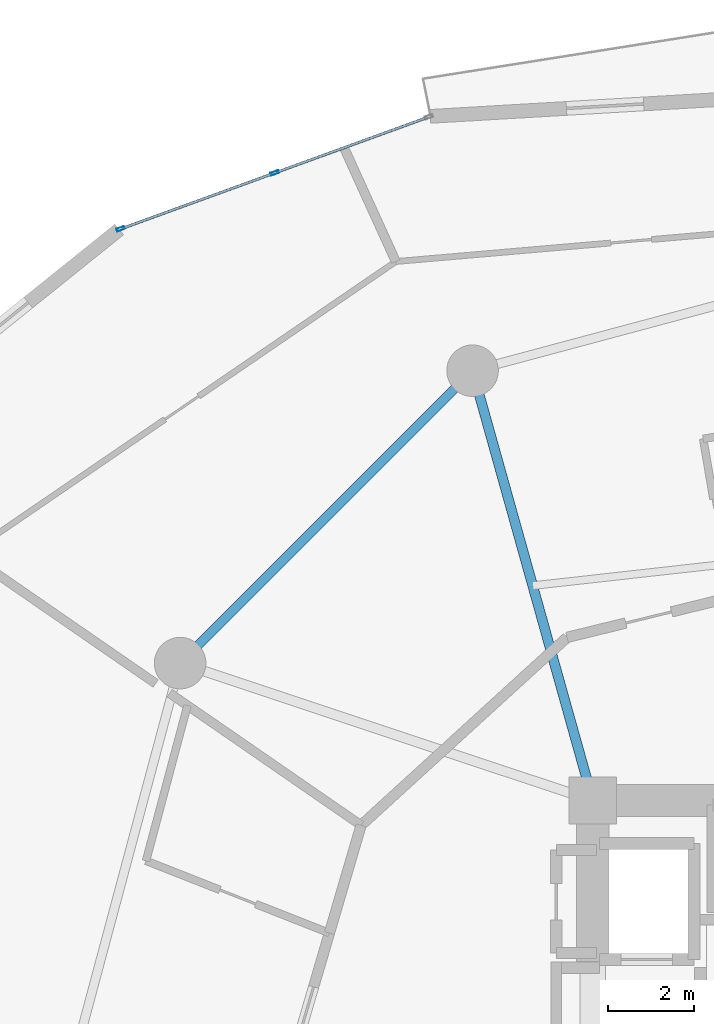
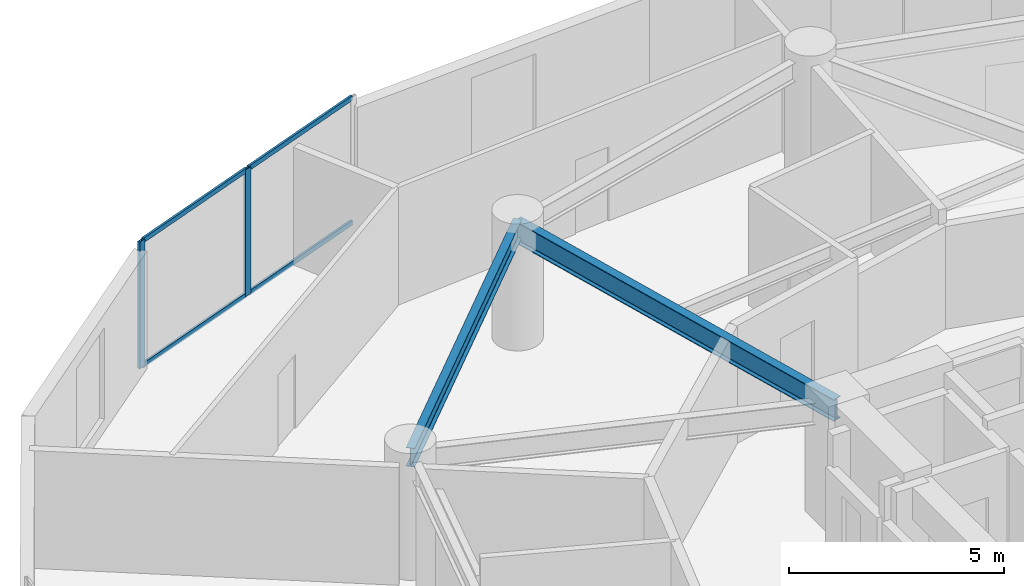
# One storey, part 15 of 26: 6 members, 2 beams, 1 element without a shape of its own.
"""IFC4 building model written with IfcOpenShell, lengths in metres."""

from ifc_helpers import new_model, si_unit, direction, frame, origin, origin_2d, place, context, subcontext, project, spatial, hollow_rectangle, i_section, extrude, source, transform, mapped, material, layer, layer_set, material_profile, profile_set, type_object, element, aggregate, save


model = new_model("IFC4")

# Units and contexts
model_context = context("Model", 3, precision=1e-05, world=origin(), true_north=direction((0.0, 1.0)))
body_context = subcontext(model_context, "Body", "Model", "MODEL_VIEW")
ifc_project = project(units=[si_unit("LENGTHUNIT", "METRE"), si_unit("AREAUNIT", "SQUARE_METRE"), si_unit("VOLUMEUNIT", "CUBIC_METRE"), si_unit("PLANEANGLEUNIT", "RADIAN"), si_unit("MASSUNIT", "GRAM", prefix="KILO")], contexts=[model_context])

# Site, building, storey
site_placement = place(None, origin())
site = spatial("IfcSite", under=ifc_project, at=site_placement, CompositionType="ELEMENT")
building_placement = place(site_placement, origin())
building = spatial("IfcBuilding", under=site, at=building_placement, Name="Solvirekh Grand Hotel", CompositionType="ELEMENT")
storey_placement = place(building_placement, frame((0.0, 0.0, 71.60009765625)))
storey = spatial("IfcBuildingStorey", under=building, at=storey_placement, Name="L17", CompositionType="ELEMENT", Elevation=71.60009765625)

# Beams
ifc_material_1 = material(Name="Steel S355", Category="steel")
ifc_material_profile_1 = material_profile(ifc_material_1, i_section(OverallWidth=0.22802734375, OverallDepth=0.616943359375, WebThickness=0.012939453125, FlangeThickness=0.02001953125, FilletRadius=0.014892578125, at=origin_2d()), Name="W610X140")
ifc_profile_set_1 = profile_set([ifc_material_profile_1], Name="Steel S355")
beam_type_1 = type_object("IfcBeamType", Name="Beam_Radial_W610", PredefinedType="BEAM", material=ifc_profile_set_1)
beam_1_placement = place(storey_placement, frame((-6.5, 6.10009765625, 3.031982421875), z_axis=(-0.269439084681, 0.963017434757, 0.0), x_axis=(-0.963017434757, -0.269439084681, 0.0)))
element("IfcBeam", 1, at=beam_1_placement, inside=storey, type_object=beam_type_1, Name="L17 radial floor beam R05", PredefinedType="BEAM", context=body_context, shape_type="SweptSolid", body=[
    extrude(i_section(OverallWidth=0.22802734375, OverallDepth=0.616943359375, WebThickness=0.012939453125, FlangeThickness=0.02001953125, FilletRadius=0.014892578125, at=origin_2d()), origin(), (0.0, 0.0, 1.0), 10.39208984375),
])
ifc_material_profile_2 = material_profile(ifc_material_1, i_section(OverallWidth=0.208984375, OverallDepth=0.532958984375, WebThickness=0.010009765625, FlangeThickness=0.014892578125, FilletRadius=0.013916015625, at=origin_2d()), Name="W530X92")
ifc_profile_set_2 = profile_set([ifc_material_profile_2], Name="Steel S355")
beam_type_2 = type_object("IfcBeamType", Name="Spandrel_Ring_W530", PredefinedType="SPANDREL", material=ifc_profile_set_2)
beam_2_placement = place(storey_placement, frame((-9.300048828125, 16.10791015625, 3.073974609375), z_axis=(-0.707106781187, -0.707106781187, 0.0), x_axis=(0.707106781187, -0.707106781187, 0.0)))
element("IfcBeam", 2, at=beam_2_placement, inside=storey, type_object=beam_type_2, Name="L17 perimeter spandrel beam 5", PredefinedType="SPANDREL", context=body_context, shape_type="SweptSolid", body=[
    extrude(i_section(OverallWidth=0.208984375, OverallDepth=0.532958984375, WebThickness=0.010009765625, FlangeThickness=0.014892578125, FilletRadius=0.013916015625, at=origin_2d()), origin(), (0.0, 0.0, 1.0), 9.627685546875),
])

# Curtain wall, members
ifc_material_2 = material(Name="Anodized Bronze Aluminium 6063-T6", Category="aluminium")
ifc_layer = layer(ifc_material_2, 0.18994140625)
ifc_layer_set = layer_set([ifc_layer], Name="Anodized Bronze Aluminium 6063-T6")
curtain_wall_type = type_object("IfcCurtainWallType", Name="CW_Sys2_LowZoneFlushBronzeCW", PredefinedType="NOTDEFINED", material=ifc_layer_set)
curtain_wall_placement = place(storey_placement, origin())
curtain_wall = element("IfcCurtainWall", 3, at=curtain_wall_placement, inside=storey, type_object=curtain_wall_type, Name="L17 unitised bronze-glass curtain wall CW-L17-C08", PredefinedType="NOTDEFINED")
ifc_material_profile_3 = material_profile(ifc_material_2, hollow_rectangle(XDim=0.06005859375, YDim=0.135009765625, WallThickness=0.00390625, at=origin_2d()), Name="ALU RHS 135X60X4")
ifc_profile_set_3 = profile_set([ifc_material_profile_3], Name="Anodized Bronze Aluminium 6063-T6")
member_type_1 = type_object("IfcMemberType", Name="CWTransom_Sys2", PredefinedType="USERDEFINED", material=ifc_profile_set_3)
shared_shape_1 = source(origin(), body_context, "Body", "SweptSolid", [
    extrude(hollow_rectangle(XDim=0.06005859375, YDim=0.135009765625, WallThickness=0.00390625, at=origin_2d()), origin(), (0.0, 0.0, 1.0), 3.74755859375),
])
member_1_placement = place(storey_placement, frame((-13.93798828125, 20.699951171875, 0.02978515625), z_axis=(-0.939859978115, -0.341559982343, 0.0), x_axis=(0.341559982343, -0.939859978115, 0.0)))
member_1 = element("IfcMember", 4, at=member_1_placement, type_object=member_type_1, Name="U02 transom 2.1", ObjectType="TRANSOM", PredefinedType="USERDEFINED", context=body_context, shape_type="MappedRepresentation", body=[
    mapped(shared_shape_1, transform((0.0, 0.0, 0.0), x_axis=(1.0, 0.0, 0.0), y_axis=(0.0, 1.0, 0.0), z_axis=(0.0, 0.0, 1.0), scale=1.0)),
])
member_2_placement = place(storey_placement, frame((-13.93798828125, 20.699951171875, 3.56982421875), z_axis=(-0.939859978115, -0.341559982343, 0.0), x_axis=(0.341559982343, -0.939859978115, 0.0)))
member_2 = element("IfcMember", 5, at=member_2_placement, type_object=member_type_1, Name="U02 transom 2.2", ObjectType="TRANSOM", PredefinedType="USERDEFINED", context=body_context, shape_type="MappedRepresentation", body=[
    mapped(shared_shape_1, transform((0.0, 0.0, 0.0), x_axis=(1.0, 0.0, 0.0), y_axis=(0.0, 1.0, 0.0), z_axis=(0.0, 0.0, 1.0), scale=1.0)),
])
ifc_material_profile_4 = material_profile(ifc_material_2, hollow_rectangle(XDim=0.070068359375, YDim=0.18994140625, WallThickness=0.0048828125, at=origin_2d()), Name="ALU RHS 190X70X5")
ifc_profile_set_4 = profile_set([ifc_material_profile_4], Name="Anodized Bronze Aluminium 6063-T6")
member_type_2 = type_object("IfcMemberType", Name="CWMullion_Sys2", PredefinedType="MULLION", material=ifc_profile_set_4)
shared_shape_2 = source(origin(), body_context, "Body", "SweptSolid", [
    extrude(hollow_rectangle(XDim=0.070068359375, YDim=0.18994140625, WallThickness=0.0048828125, at=origin_2d()), origin(), (0.0, 0.0, 1.0), 3.599853515625),
])
member_3_placement = place(storey_placement, frame((-13.905029296875, 20.7119140625, 0.0), z_axis=(0.0, 0.0, 1.0), x_axis=(0.341576335296, -0.939854035032, 0.0)))
member_3 = element("IfcMember", 6, at=member_3_placement, type_object=member_type_2, Name="U02 mullion 2", PredefinedType="MULLION", context=body_context, shape_type="MappedRepresentation", body=[
    mapped(shared_shape_2, transform((0.0, 0.0, 0.0), x_axis=(1.0, 0.0, 0.0), y_axis=(0.0, 1.0, 0.0), z_axis=(0.0, 0.0, 1.0), scale=1.0)),
])
member_4_placement = place(storey_placement, frame((-17.4931640625, 19.407958984375, 0.0), z_axis=(0.0, 0.0, 1.0), x_axis=(0.341576335296, -0.939854035032, 0.0)))
member_4 = element("IfcMember", 7, at=member_4_placement, type_object=member_type_2, Name="U02 mullion 3", PredefinedType="MULLION", context=body_context, shape_type="MappedRepresentation", body=[
    mapped(shared_shape_2, transform((0.0, 0.0, 0.0), x_axis=(1.0, 0.0, 0.0), y_axis=(0.0, 1.0, 0.0), z_axis=(0.0, 0.0, 1.0), scale=1.0)),
])
shared_shape_3 = source(origin(), body_context, "Body", "SweptSolid", [
    extrude(hollow_rectangle(XDim=0.06005859375, YDim=0.135009765625, WallThickness=0.00390625, at=origin_2d()), origin(), (0.0, 0.0, 1.0), 3.747802734375),
])
member_5_placement = place(storey_placement, frame((-10.349853515625, 22.004150390625, 0.02978515625), z_axis=(-0.939839063774, -0.341617526196, 0.0), x_axis=(0.341617526196, -0.939839063774, 0.0)))
member_5 = element("IfcMember", 8, at=member_5_placement, type_object=member_type_1, Name="U02 transom 1.1", ObjectType="TRANSOM", PredefinedType="USERDEFINED", context=body_context, shape_type="MappedRepresentation", body=[
    mapped(shared_shape_3, transform((0.0, 0.0, 0.0), x_axis=(1.0, 0.0, 0.0), y_axis=(0.0, 1.0, 0.0), z_axis=(0.0, 0.0, 1.0), scale=1.0)),
])
member_6_placement = place(storey_placement, frame((-10.349853515625, 22.004150390625, 3.56982421875), z_axis=(-0.939839063774, -0.341617526196, 0.0), x_axis=(0.341617526196, -0.939839063774, 0.0)))
member_6 = element("IfcMember", 9, at=member_6_placement, type_object=member_type_1, Name="U02 transom 1.2", ObjectType="TRANSOM", PredefinedType="USERDEFINED", context=body_context, shape_type="MappedRepresentation", body=[
    mapped(shared_shape_3, transform((0.0, 0.0, 0.0), x_axis=(1.0, 0.0, 0.0), y_axis=(0.0, 1.0, 0.0), z_axis=(0.0, 0.0, 1.0), scale=1.0)),
])
aggregate(curtain_wall, [member_3, member_4, member_5, member_6, member_1, member_2])

save(model, "model.ifc")
